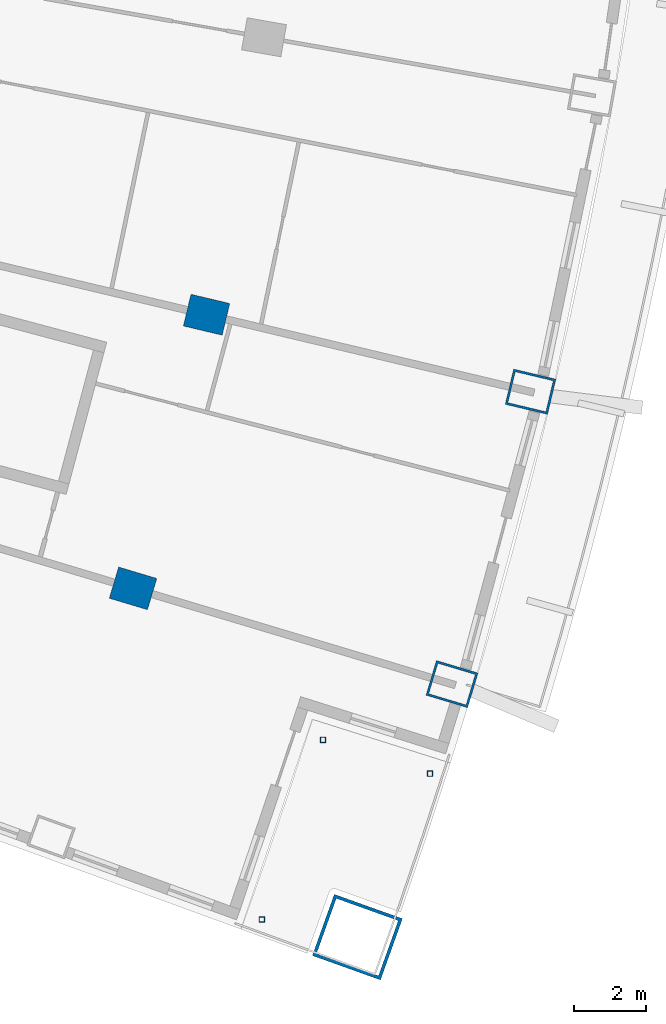
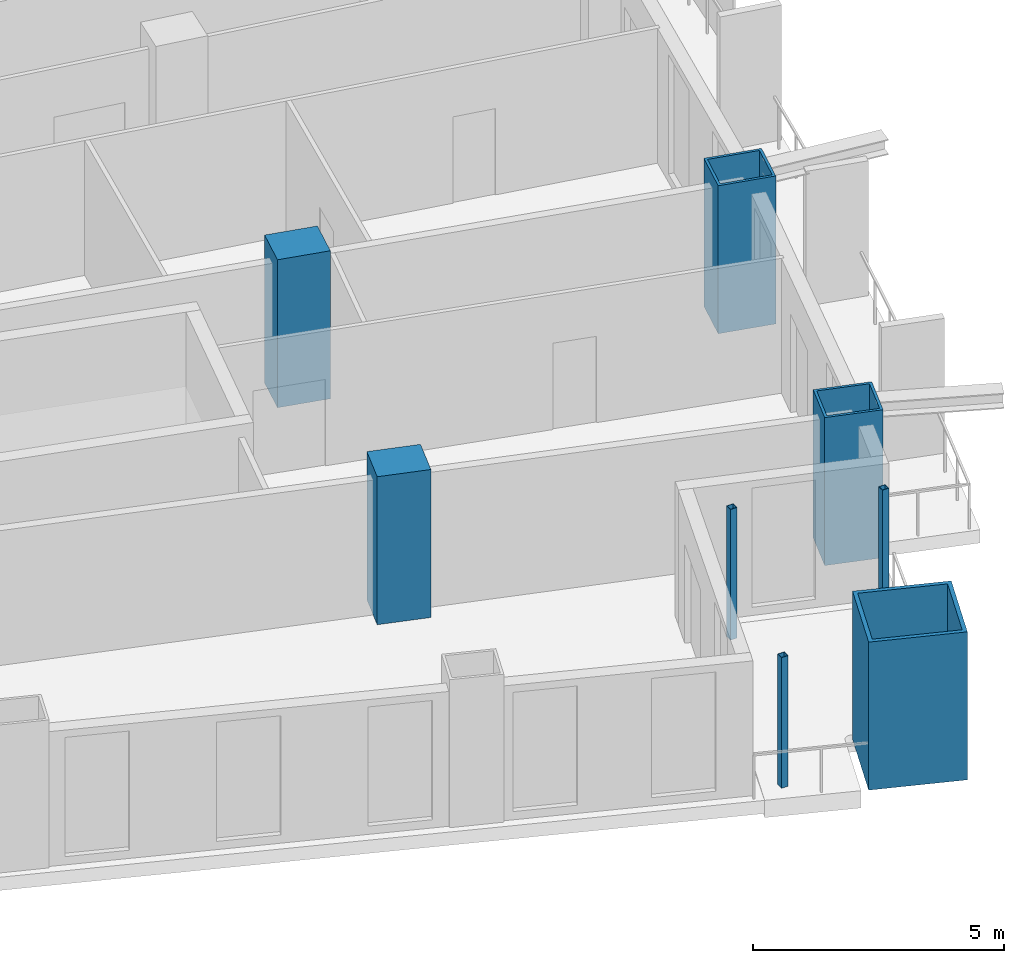
# One storey, part 5 of 25: 8 columns.
"""IFC4 building model written with IfcOpenShell, lengths in metres."""

from ifc_helpers import new_model, si_unit, direction, frame, origin, origin_2d, place, context, subcontext, project, spatial, rectangle, hollow_rectangle, extrude, material, material_profile, profile_set, type_object, element, save


model = new_model("IFC4")

# Units and contexts
model_context = context("Model", 3, precision=1e-05, world=origin(), true_north=direction((0.0, 1.0)))
body_context = subcontext(model_context, "Body", "Model", "MODEL_VIEW")
ifc_project = project(units=[si_unit("LENGTHUNIT", "METRE"), si_unit("AREAUNIT", "SQUARE_METRE"), si_unit("VOLUMEUNIT", "CUBIC_METRE"), si_unit("PLANEANGLEUNIT", "RADIAN"), si_unit("MASSUNIT", "GRAM", prefix="KILO")], contexts=[model_context])

# Site, building, storey
site_placement = place(None, origin())
site = spatial("IfcSite", under=ifc_project, at=site_placement, CompositionType="ELEMENT")
building_placement = place(site_placement, origin())
building = spatial("IfcBuilding", under=site, at=building_placement, Name="Alderwake Tower", CompositionType="ELEMENT")
storey_placement = place(building_placement, frame((0.0, 0.0, 35.60009765625)))
storey = spatial("IfcBuildingStorey", under=building, at=storey_placement, Name="L07", CompositionType="ELEMENT", Elevation=35.60009765625)

# Columns
ifc_material_1 = material(Name="Concrete C70/85", Category="concrete")
ifc_material_profile_1 = material_profile(ifc_material_1, rectangle(XDim=0.89990234375, YDim=1.10009765625, at=origin_2d()), Name="RC 1100X900")
ifc_profile_set_1 = profile_set([ifc_material_profile_1], Name="Concrete C70/85")
column_type_1 = type_object("IfcColumnType", Name="Interior column Z1", PredefinedType="COLUMN", material=ifc_profile_set_1)
for number, where, z_axis, x_axis, name in (
    (1, (48.5322265625, 22.410888671875, 0.0), (0.0, 0.0, 1.0), (0.287549418125, 0.957765802342, 0.0), "Column R02-C4"),
    (2, (50.563232421875, 29.969970703125, 0.0), (0.0, 0.0, 1.0), (0.231221547198, 0.972901123502, 0.0), "Column R03-C4"),
):
    element("IfcColumn", number, at=place(storey_placement, frame(where, z_axis=z_axis, x_axis=x_axis)), inside=storey, type_object=column_type_1, Name=name, PredefinedType="COLUMN", context=body_context, shape_type="SweptSolid", body=[
        extrude(rectangle(XDim=0.89990234375, YDim=1.10009765625, at=origin_2d()), origin(), (0.0, 0.0, 1.0), 3.599853515625),
    ])
ifc_material_2 = material(Name="Steel ASTM A500 Grade C", Category="steel")
ifc_material_profile_2 = material_profile(ifc_material_2, hollow_rectangle(XDim=0.15234375, YDim=0.15234375, WallThickness=0.0087890625, at=origin_2d()), Name="HSS6X6X3/8")
ifc_profile_set_2 = profile_set([ifc_material_profile_2], Name="Steel ASTM A500 Grade C")
column_type_2 = type_object("IfcColumnType", Name="Light post HSS6X6X3/8", PredefinedType="COLUMN", material=ifc_profile_set_2)
for number, where, z_axis, x_axis, name in (
    (3, (56.734375, 17.29296875, 0.0), (0.0, 0.0, 1.0), (1.0, 0.0, 0.0), "Terrace post FS1"),
    (4, (52.08837890625, 13.262939453125, 0.0), (0.0, 0.0, 1.0), (1.0, 0.0, 0.0), "Terrace post FS2"),
    (5, (53.778564453125, 18.2275390625, 0.0), (0.0, 0.0, 1.0), (1.0, 0.0, 0.0), "Terrace post FS3"),
):
    element("IfcColumn", number, at=place(storey_placement, frame(where, z_axis=z_axis, x_axis=x_axis)), inside=storey, type_object=column_type_2, Name=name, PredefinedType="COLUMN", context=body_context, shape_type="SweptSolid", body=[
        extrude(hollow_rectangle(XDim=0.15234375, YDim=0.15234375, WallThickness=0.0087890625, at=origin_2d()), origin(), (0.0, 0.0, 1.0), 3.179931640625),
    ])
ifc_material_3 = material(Name="Steel ASTM A572 Grade 50 concrete filled C70/85", Category="concrete")
ifc_material_profile_3 = material_profile(ifc_material_3, hollow_rectangle(XDim=1.800048828125, YDim=2.0, WallThickness=0.090087890625, at=origin_2d()), Name="BOX 2000X1800X90")
ifc_profile_set_3 = profile_set([ifc_material_profile_3], Name="Steel ASTM A572 Grade 50 concrete filled C70/85")
column_type_3 = type_object("IfcColumnType", Name="Mega column Z1", PredefinedType="COLUMN", material=ifc_profile_set_3)
column_placement = place(storey_placement, frame((54.7294921875, 12.77587890625, 0.0), z_axis=(0.0, 0.0, 1.0), x_axis=(0.336995022772, 0.941506428351, 0.0)))
element("IfcColumn", 6, at=column_placement, inside=storey, type_object=column_type_3, Name="Column R01-C5", PredefinedType="COLUMN", context=body_context, shape_type="SweptSolid", body=[
    extrude(hollow_rectangle(XDim=1.800048828125, YDim=2.0, WallThickness=0.090087890625, at=origin_2d()), origin(), (0.0, 0.0, 1.0), 3.599853515625),
])
ifc_material_4 = material(Name="Steel ASTM A572 Grade 50 concrete filled C70/85", Category="concrete")
ifc_material_profile_4 = material_profile(ifc_material_4, hollow_rectangle(XDim=1.0, YDim=1.199951171875, WallThickness=0.06005859375, at=origin_2d()), Name="BOX 1200X1000X60")
ifc_profile_set_4 = profile_set([ifc_material_profile_4], Name="Steel ASTM A572 Grade 50 concrete filled C70/85")
column_type_4 = type_object("IfcColumnType", Name="Perimeter column Z1", PredefinedType="COLUMN", material=ifc_profile_set_4)
for number, where, z_axis, x_axis, name in (
    (7, (57.343505859375, 19.765380859375, 0.0), (0.0, 0.0, 1.0), (0.287549418125, 0.957765802342, 0.0), "Column R02-C5"),
    (8, (59.513916015625, 27.8427734375, 0.0), (0.0, 0.0, 1.0), (0.231221547198, 0.972901123502, 0.0), "Column R03-C5"),
):
    element("IfcColumn", number, at=place(storey_placement, frame(where, z_axis=z_axis, x_axis=x_axis)), inside=storey, type_object=column_type_4, Name=name, PredefinedType="COLUMN", context=body_context, shape_type="SweptSolid", body=[
        extrude(hollow_rectangle(XDim=1.0, YDim=1.199951171875, WallThickness=0.06005859375, at=origin_2d()), origin(), (0.0, 0.0, 1.0), 3.599853515625),
    ])

save(model, "model.ifc")
